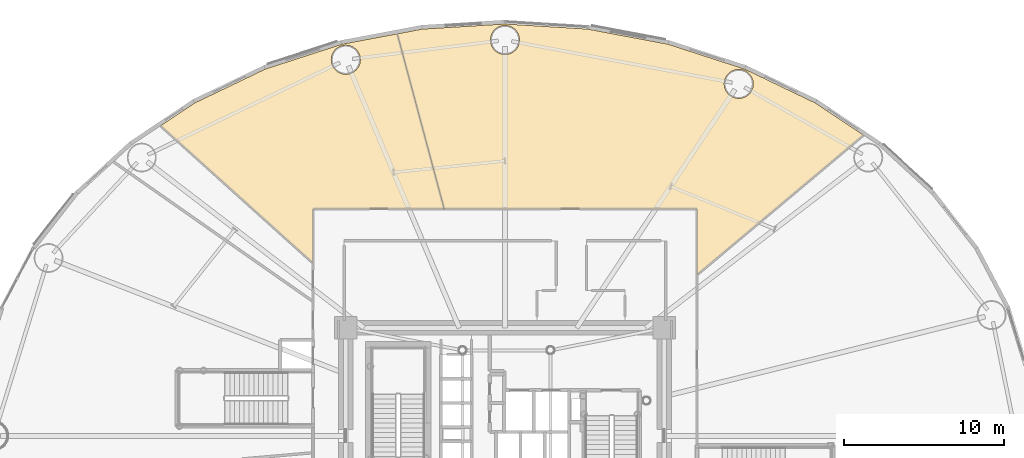
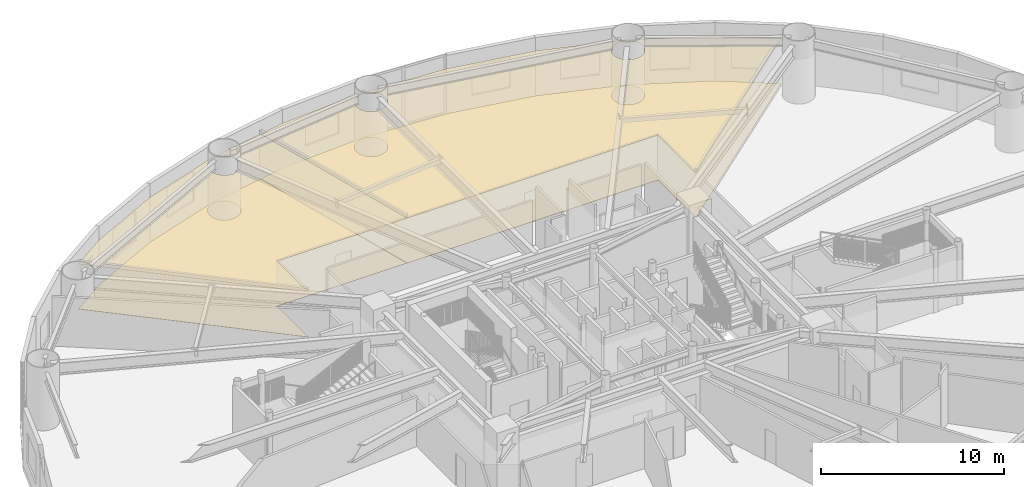
# One storey, part 30 of 30: 4 coverings.
"""IFC4 building model written with IfcOpenShell, lengths in metres."""

from ifc_helpers import new_model, si_unit, direction, frame, origin, place, context, subcontext, project, spatial, polyline, outline, extrude, material, layer, layer_set, type_object, element, save


model = new_model("IFC4")

# Units and contexts
model_context = context("Model", 3, precision=1e-05, world=origin(), true_north=direction((0.0, 1.0)))
body_context = subcontext(model_context, "Body", "Model", "MODEL_VIEW")
ifc_project = project(units=[si_unit("LENGTHUNIT", "METRE"), si_unit("AREAUNIT", "SQUARE_METRE"), si_unit("VOLUMEUNIT", "CUBIC_METRE"), si_unit("PLANEANGLEUNIT", "RADIAN"), si_unit("MASSUNIT", "GRAM", prefix="KILO")], contexts=[model_context])

# Site, building, storey
site_placement = place(None, origin())
site = spatial("IfcSite", under=ifc_project, at=site_placement, CompositionType="ELEMENT")
building_placement = place(site_placement, origin())
building = spatial("IfcBuilding", under=site, at=building_placement, Name="Linh Dai School and Residence Tower", CompositionType="ELEMENT")
storey_placement = place(building_placement, frame((0.0, 0.0, 10.199951171875)))
storey = spatial("IfcBuildingStorey", under=building, at=storey_placement, Name="L02", CompositionType="ELEMENT", Elevation=10.199951171875)

# Coverings
ifc_material_1 = material(Name="Mineral Fibre Acoustic Suspended Ceiling", Category="masonry")
ifc_layer_1 = layer(ifc_material_1, 0.02001953125)
ifc_layer_set_1 = layer_set([ifc_layer_1], Name="Mineral Fibre Acoustic Suspended Ceiling")
covering_type_1 = type_object("IfcCoveringType", Name="COV-CEIL-AC-20", PredefinedType="CEILING", material=ifc_layer_set_1)
covering_1_placement = place(storey_placement, frame((0.0, 0.0, 3.0)))
element("IfcCovering", 1, at=covering_1_placement, inside=storey, type_object=covering_type_1, Name="L02 Student Dining Hall and Refectory Suspended Ceiling", PredefinedType="CEILING", context=body_context, shape_type="SweptSolid", body=[
    extrude(outline(polyline([(36.0, 52.75), (41.162841796875, 52.431884765625), (46.19775390625, 51.485107421875), (50.979736328125, 49.93408203125), (55.390869140625, 47.817138671875), (58.40576171875, 45.80078125), (48.0, 37.069091796875), (48.0, 41.199951171875), (32.195068359375, 41.199951171875), (29.264892578125, 52.13623046875), (30.837158203125, 52.431884765625), (36.0, 52.75)]), holes=[polyline([(51.489990234375, 48.76904296875), (51.521240234375, 49.005126953125), (51.489990234375, 49.2412109375), (51.39892578125, 49.461181640625), (51.254150390625, 49.650146484375), (51.065185546875, 49.794921875), (50.84521484375, 49.885986328125), (50.609130859375, 49.917236328125), (50.373291015625, 49.885986328125), (50.1533203125, 49.794921875), (49.96435546875, 49.650146484375), (49.8193359375, 49.461181640625), (49.728271484375, 49.2412109375), (49.697265625, 49.005126953125), (49.728271484375, 48.76904296875), (49.8193359375, 48.54931640625), (49.96435546875, 48.3603515625), (50.1533203125, 48.21533203125), (50.373291015625, 48.124267578125), (50.609130859375, 48.09326171875), (50.84521484375, 48.124267578125), (51.065185546875, 48.21533203125), (51.254150390625, 48.3603515625), (51.39892578125, 48.54931640625), (51.489990234375, 48.76904296875)]), polyline([(36.880859375, 51.513916015625), (36.912109375, 51.75), (36.880859375, 51.986083984375), (36.789794921875, 52.2060546875), (36.64501953125, 52.39501953125), (36.4560546875, 52.539794921875), (36.236083984375, 52.630859375), (36.0, 52.662109375), (35.763916015625, 52.630859375), (35.5439453125, 52.539794921875), (35.35498046875, 52.39501953125), (35.210205078125, 52.2060546875), (35.119140625, 51.986083984375), (35.087890625, 51.75), (35.119140625, 51.513916015625), (35.210205078125, 51.2939453125), (35.35498046875, 51.10498046875), (35.5439453125, 50.960205078125), (35.763916015625, 50.869140625), (36.0, 50.837890625), (36.236083984375, 50.869140625), (36.4560546875, 50.960205078125), (36.64501953125, 51.10498046875), (36.789794921875, 51.2939453125), (36.880859375, 51.513916015625)])]), origin(), (0.0, 0.0, 1.0), 0.02001953125),
])
covering_2_placement = place(storey_placement, frame((0.0, 0.0, 3.0)))
element("IfcCovering", 2, at=covering_2_placement, inside=storey, type_object=covering_type_1, Name="L02 School Refectory Servery Hall Suspended Ceiling", PredefinedType="CEILING", context=body_context, shape_type="SweptSolid", body=[
    extrude(outline(polyline([(21.020263671875, 49.93408203125), (25.80224609375, 51.485107421875), (29.264892578125, 52.13623046875), (32.195068359375, 41.199951171875), (24.0, 41.199951171875), (24.0, 37.8046875), (14.469482421875, 46.385986328125), (16.609130859375, 47.817138671875), (21.020263671875, 49.93408203125)]), holes=[polyline([(26.9296875, 50.752197265625), (26.838623046875, 50.97216796875), (26.69384765625, 51.160888671875), (26.5048828125, 51.305908203125), (26.284912109375, 51.39697265625), (26.048828125, 51.427978515625), (25.812744140625, 51.39697265625), (25.593017578125, 51.305908203125), (25.404052734375, 51.160888671875), (25.259033203125, 50.97216796875), (25.16796875, 50.752197265625), (25.136962890625, 50.51611328125), (25.16796875, 50.280029296875), (25.259033203125, 50.06005859375), (25.404052734375, 49.87109375), (25.593017578125, 49.726318359375), (25.812744140625, 49.635009765625), (26.048828125, 49.60400390625), (26.284912109375, 49.635009765625), (26.5048828125, 49.726318359375), (26.69384765625, 49.87109375), (26.838623046875, 50.06005859375), (26.9296875, 50.280029296875), (26.9609375, 50.51611328125), (26.9296875, 50.752197265625)])]), origin(), (0.0, 0.0, 1.0), 0.02001953125),
])
ifc_material_2 = material(Name="Polished Terrazzo Floor Finish", Category="masonry")
ifc_layer_2 = layer(ifc_material_2, 0.02490234375)
ifc_layer_set_2 = layer_set([ifc_layer_2], Name="Polished Terrazzo Floor Finish")
covering_type_2 = type_object("IfcCoveringType", Name="COV-FLR-TRZ-25", PredefinedType="FLOORING", material=ifc_layer_set_2)
covering_3_placement = place(storey_placement, origin())
element("IfcCovering", 3, at=covering_3_placement, inside=storey, type_object=covering_type_2, Name="L02 Student Dining Hall and Refectory Floor Finish", PredefinedType="FLOORING", context=body_context, shape_type="SweptSolid", body=[
    extrude(outline(polyline([(36.0, 52.75), (41.162841796875, 52.431884765625), (46.19775390625, 51.485107421875), (50.979736328125, 49.93408203125), (55.390869140625, 47.817138671875), (58.40576171875, 45.80078125), (48.0, 37.069091796875), (48.0, 41.199951171875), (32.195068359375, 41.199951171875), (29.264892578125, 52.13623046875), (30.837158203125, 52.431884765625), (36.0, 52.75)]), holes=[polyline([(51.489990234375, 48.76904296875), (51.521240234375, 49.005126953125), (51.489990234375, 49.2412109375), (51.39892578125, 49.461181640625), (51.254150390625, 49.650146484375), (51.065185546875, 49.794921875), (50.84521484375, 49.885986328125), (50.609130859375, 49.917236328125), (50.373291015625, 49.885986328125), (50.1533203125, 49.794921875), (49.96435546875, 49.650146484375), (49.8193359375, 49.461181640625), (49.728271484375, 49.2412109375), (49.697265625, 49.005126953125), (49.728271484375, 48.76904296875), (49.8193359375, 48.54931640625), (49.96435546875, 48.3603515625), (50.1533203125, 48.21533203125), (50.373291015625, 48.124267578125), (50.609130859375, 48.09326171875), (50.84521484375, 48.124267578125), (51.065185546875, 48.21533203125), (51.254150390625, 48.3603515625), (51.39892578125, 48.54931640625), (51.489990234375, 48.76904296875)]), polyline([(36.880859375, 51.513916015625), (36.912109375, 51.75), (36.880859375, 51.986083984375), (36.789794921875, 52.2060546875), (36.64501953125, 52.39501953125), (36.4560546875, 52.539794921875), (36.236083984375, 52.630859375), (36.0, 52.662109375), (35.763916015625, 52.630859375), (35.5439453125, 52.539794921875), (35.35498046875, 52.39501953125), (35.210205078125, 52.2060546875), (35.119140625, 51.986083984375), (35.087890625, 51.75), (35.119140625, 51.513916015625), (35.210205078125, 51.2939453125), (35.35498046875, 51.10498046875), (35.5439453125, 50.960205078125), (35.763916015625, 50.869140625), (36.0, 50.837890625), (36.236083984375, 50.869140625), (36.4560546875, 50.960205078125), (36.64501953125, 51.10498046875), (36.789794921875, 51.2939453125), (36.880859375, 51.513916015625)])]), origin(), (0.0, 0.0, 1.0), 0.02001953125),
])
covering_4_placement = place(storey_placement, origin())
element("IfcCovering", 4, at=covering_4_placement, inside=storey, type_object=covering_type_2, Name="L02 School Refectory Servery Hall Floor Finish", PredefinedType="FLOORING", context=body_context, shape_type="SweptSolid", body=[
    extrude(outline(polyline([(21.020263671875, 49.93408203125), (25.80224609375, 51.485107421875), (29.264892578125, 52.13623046875), (32.195068359375, 41.199951171875), (24.0, 41.199951171875), (24.0, 37.8046875), (14.469482421875, 46.385986328125), (16.609130859375, 47.817138671875), (21.020263671875, 49.93408203125)]), holes=[polyline([(26.9296875, 50.752197265625), (26.838623046875, 50.97216796875), (26.69384765625, 51.160888671875), (26.5048828125, 51.305908203125), (26.284912109375, 51.39697265625), (26.048828125, 51.427978515625), (25.812744140625, 51.39697265625), (25.593017578125, 51.305908203125), (25.404052734375, 51.160888671875), (25.259033203125, 50.97216796875), (25.16796875, 50.752197265625), (25.136962890625, 50.51611328125), (25.16796875, 50.280029296875), (25.259033203125, 50.06005859375), (25.404052734375, 49.87109375), (25.593017578125, 49.726318359375), (25.812744140625, 49.635009765625), (26.048828125, 49.60400390625), (26.284912109375, 49.635009765625), (26.5048828125, 49.726318359375), (26.69384765625, 49.87109375), (26.838623046875, 50.06005859375), (26.9296875, 50.280029296875), (26.9609375, 50.51611328125), (26.9296875, 50.752197265625)])]), origin(), (0.0, 0.0, 1.0), 0.02001953125),
])

save(model, "model.ifc")
